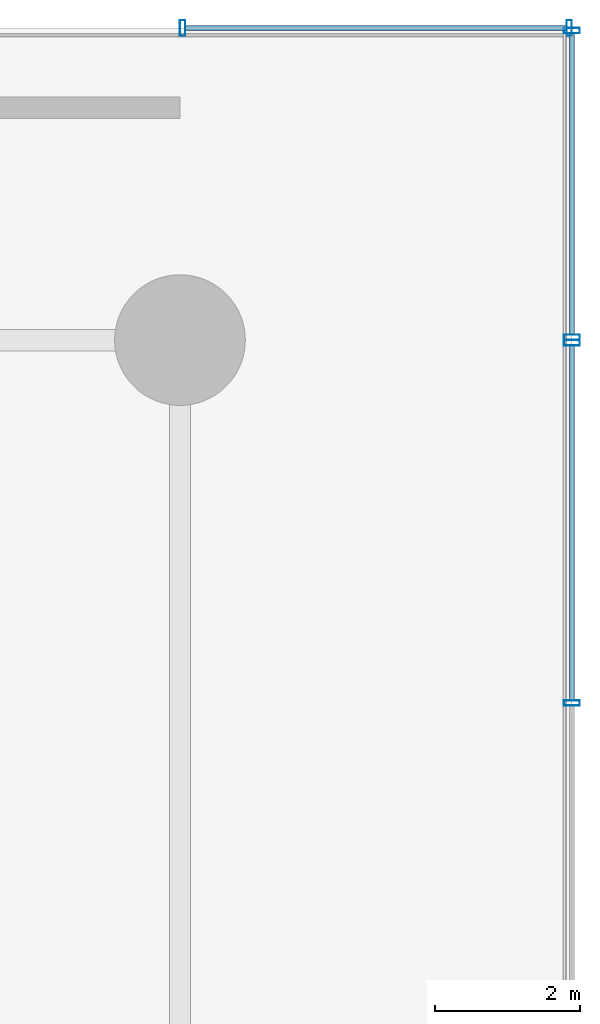
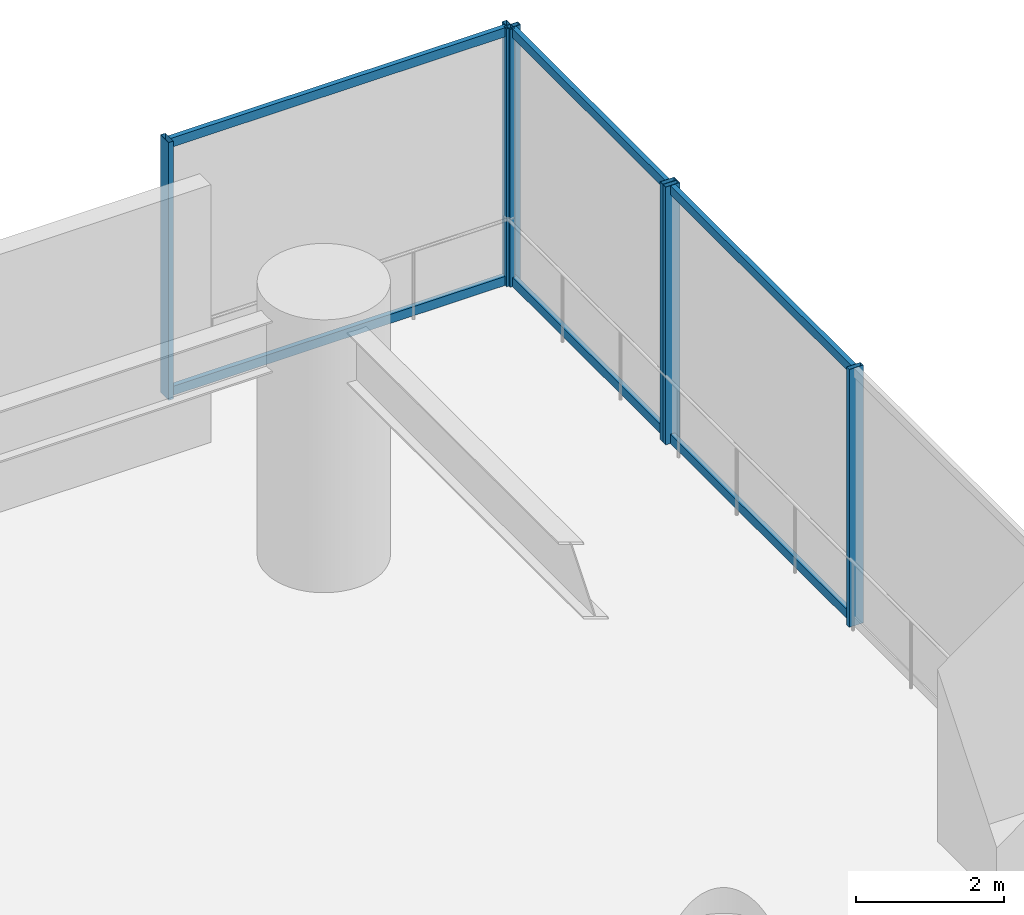
# One storey, part 25 of 36: 12 members, 3 elements without a shape of their own.
"""IFC4 building model written with IfcOpenShell, lengths in metres."""

from ifc_helpers import new_model, si_unit, direction, frame, origin, origin_2d, place, context, subcontext, project, spatial, hollow_rectangle, extrude, material, layer, layer_set, material_profile, profile_set, type_object, element, aggregate, save


model = new_model("IFC4")

# Units and contexts
model_context = context("Model", 3, precision=1e-05, world=origin(), true_north=direction((0.0, 1.0)))
body_context = subcontext(model_context, "Body", "Model", "MODEL_VIEW")
ifc_project = project(units=[si_unit("LENGTHUNIT", "METRE"), si_unit("AREAUNIT", "SQUARE_METRE"), si_unit("VOLUMEUNIT", "CUBIC_METRE"), si_unit("PLANEANGLEUNIT", "RADIAN"), si_unit("MASSUNIT", "GRAM", prefix="KILO")], contexts=[model_context])

# Site, building, storey
site_placement = place(None, origin())
site = spatial("IfcSite", under=ifc_project, at=site_placement, CompositionType="ELEMENT")
building_placement = place(site_placement, origin())
building = spatial("IfcBuilding", under=site, at=building_placement, Name="Surkhivell Harbour Commons", CompositionType="ELEMENT")
storey_placement = place(building_placement, frame((0.0, 0.0, 9.0)))
storey = spatial("IfcBuildingStorey", under=building, at=storey_placement, Name="L02", CompositionType="ELEMENT", Elevation=9.0)

# Curtain wall, members
ifc_material_1 = material(Name="Anodised pale-metal aluminium and insulated glazing", Category="aluminium")
ifc_layer = layer(ifc_material_1, 0.239990234375)
ifc_layer_set = layer_set([ifc_layer], Name="Anodised pale-metal aluminium and insulated glazing")
curtain_wall_type = type_object("IfcCurtainWallType", Name="CW-SYS-POD", PredefinedType="NOTDEFINED", material=ifc_layer_set)
curtain_wall_1_placement = place(storey_placement, origin())
curtain_wall_1 = element("IfcCurtainWall", 1, at=curtain_wall_1_placement, inside=storey, type_object=curtain_wall_type, Name="L02 Curtain Wall CW-L02-N8", PredefinedType="NOTDEFINED")
ifc_material_2 = material(Name="Anodised pale-metal aluminium alloy 6063-T6", Category="aluminium")
ifc_material_profile_1 = material_profile(ifc_material_2, hollow_rectangle(XDim=0.074951171875, YDim=0.219970703125, WallThickness=0.00390625, at=origin_2d()), Name="ALU-MULL-75x220")
ifc_profile_set_1 = profile_set([ifc_material_profile_1], Name="Anodised pale-metal aluminium alloy 6063-T6")
member_type_1 = type_object("IfcMemberType", Name="CWM-220", PredefinedType="MULLION", material=ifc_profile_set_1)
member_1_placement = place(storey_placement, frame((32.4375, 25.89990234375, 0.0), z_axis=(0.0, 0.0, 1.0), x_axis=(1.0, 0.0, 0.0)))
member_1 = element("IfcMember", 2, at=member_1_placement, type_object=member_type_1, Name="CW-POD mullion 1", PredefinedType="MULLION", context=body_context, shape_type="SweptSolid", body=[
    extrude(hollow_rectangle(XDim=0.074951171875, YDim=0.219970703125, WallThickness=0.00390625, at=origin_2d()), origin(), (0.0, 0.0, 1.0), 4.25),
])
member_2_placement = place(storey_placement, frame((37.762451171875, 25.89990234375, 0.0), z_axis=(0.0, 0.0, 1.0), x_axis=(1.0, 0.0, 0.0)))
member_2 = element("IfcMember", 3, at=member_2_placement, type_object=member_type_1, Name="CW-POD mullion 2", PredefinedType="MULLION", context=body_context, shape_type="SweptSolid", body=[
    extrude(hollow_rectangle(XDim=0.074951171875, YDim=0.219970703125, WallThickness=0.00390625, at=origin_2d()), origin(), (0.0, 0.0, 1.0), 4.25),
])

curtain_wall_2_placement = place(storey_placement, origin())
curtain_wall_2 = element("IfcCurtainWall", 4, at=curtain_wall_2_placement, inside=storey, type_object=curtain_wall_type, Name="L02 Curtain Wall CW-L02-E5", PredefinedType="NOTDEFINED")
member_3_placement = place(storey_placement, frame((37.800048828125, 21.5625, 0.0), z_axis=(0.0, 0.0, 1.0), x_axis=(0.0, -1.0, 0.0)))
member_3 = element("IfcMember", 5, at=member_3_placement, type_object=member_type_1, Name="CW-POD mullion 1", PredefinedType="MULLION", context=body_context, shape_type="SweptSolid", body=[
    extrude(hollow_rectangle(XDim=0.074951171875, YDim=0.219970703125, WallThickness=0.00390625, at=origin_2d()), origin(), (0.0, 0.0, 1.0), 4.25),
])
member_4_placement = place(storey_placement, frame((37.800048828125, 16.60107421875, 0.0), z_axis=(0.0, 0.0, 1.0), x_axis=(0.0, -1.0, 0.0)))
member_4 = element("IfcMember", 6, at=member_4_placement, type_object=member_type_1, Name="CW-POD mullion 2", PredefinedType="MULLION", context=body_context, shape_type="SweptSolid", body=[
    extrude(hollow_rectangle(XDim=0.074951171875, YDim=0.219970703125, WallThickness=0.00390625, at=origin_2d()), origin(), (0.0, 0.0, 1.0), 4.25),
])

curtain_wall_3_placement = place(storey_placement, origin())
curtain_wall_3 = element("IfcCurtainWall", 7, at=curtain_wall_3_placement, inside=storey, type_object=curtain_wall_type, Name="L02 Curtain Wall CW-L02-E6", PredefinedType="NOTDEFINED")
member_5_placement = place(storey_placement, frame((37.800048828125, 25.862548828125, 0.0), z_axis=(0.0, 0.0, 1.0), x_axis=(0.0, -1.0, 0.0)))
member_5 = element("IfcMember", 8, at=member_5_placement, type_object=member_type_1, Name="CW-POD mullion 1", PredefinedType="MULLION", context=body_context, shape_type="SweptSolid", body=[
    extrude(hollow_rectangle(XDim=0.074951171875, YDim=0.219970703125, WallThickness=0.00390625, at=origin_2d()), origin(), (0.0, 0.0, 1.0), 4.25),
])
member_6_placement = place(storey_placement, frame((37.800048828125, 21.637451171875, 0.0), z_axis=(0.0, 0.0, 1.0), x_axis=(0.0, -1.0, 0.0)))
member_6 = element("IfcMember", 9, at=member_6_placement, type_object=member_type_1, Name="CW-POD mullion 2", PredefinedType="MULLION", context=body_context, shape_type="SweptSolid", body=[
    extrude(hollow_rectangle(XDim=0.074951171875, YDim=0.219970703125, WallThickness=0.00390625, at=origin_2d()), origin(), (0.0, 0.0, 1.0), 4.25),
])

# Member
ifc_material_profile_2 = material_profile(ifc_material_2, hollow_rectangle(XDim=0.074951171875, YDim=0.14990234375, WallThickness=0.00341796875, at=origin_2d()), Name="ALU-TRAN-75x150")
ifc_profile_set_2 = profile_set([ifc_material_profile_2], Name="Anodised pale-metal aluminium alloy 6063-T6")
member_type_2 = type_object("IfcMemberType", Name="CWT-150", PredefinedType="USERDEFINED", material=ifc_profile_set_2)
member_7_placement = place(storey_placement, frame((32.47509765625, 25.89990234375, 0.074951171875), z_axis=(1.0, 0.0, 0.0), x_axis=(0.0, 1.0, 0.0)))
member_7 = element("IfcMember", 10, at=member_7_placement, type_object=member_type_2, Name="CW-POD transom 1.1", ObjectType="TRANSOM", PredefinedType="USERDEFINED", context=body_context, shape_type="SweptSolid", body=[
    extrude(hollow_rectangle(XDim=0.074951171875, YDim=0.14990234375, WallThickness=0.00341796875, at=origin_2d()), origin(), (0.0, 0.0, 1.0), 5.25),
])

member_8_placement = place(storey_placement, frame((32.47509765625, 25.89990234375, 4.175048828125), z_axis=(1.0, 0.0, 0.0), x_axis=(0.0, 1.0, 0.0)))
member_8 = element("IfcMember", 11, at=member_8_placement, type_object=member_type_2, Name="CW-POD transom 1.2", ObjectType="TRANSOM", PredefinedType="USERDEFINED", context=body_context, shape_type="SweptSolid", body=[
    extrude(hollow_rectangle(XDim=0.074951171875, YDim=0.14990234375, WallThickness=0.00341796875, at=origin_2d()), origin(), (0.0, 0.0, 1.0), 5.25),
])

aggregate(curtain_wall_1, [member_1, member_2, member_7, member_8])

member_9_placement = place(storey_placement, frame((37.800048828125, 21.52490234375, 0.074951171875), z_axis=(0.0, -1.0, 0.0), x_axis=(1.0, 0.0, 0.0)))
member_9 = element("IfcMember", 12, at=member_9_placement, type_object=member_type_2, Name="CW-POD transom 1.1", ObjectType="TRANSOM", PredefinedType="USERDEFINED", context=body_context, shape_type="SweptSolid", body=[
    extrude(hollow_rectangle(XDim=0.074951171875, YDim=0.14990234375, WallThickness=0.00341796875, at=origin_2d()), origin(), (0.0, 0.0, 1.0), 4.886474609375),
])

member_10_placement = place(storey_placement, frame((37.800048828125, 21.52490234375, 4.175048828125), z_axis=(0.0, -1.0, 0.0), x_axis=(1.0, 0.0, 0.0)))
member_10 = element("IfcMember", 13, at=member_10_placement, type_object=member_type_2, Name="CW-POD transom 1.2", ObjectType="TRANSOM", PredefinedType="USERDEFINED", context=body_context, shape_type="SweptSolid", body=[
    extrude(hollow_rectangle(XDim=0.074951171875, YDim=0.14990234375, WallThickness=0.00341796875, at=origin_2d()), origin(), (0.0, 0.0, 1.0), 4.886474609375),
])

aggregate(curtain_wall_2, [member_3, member_4, member_9, member_10])

member_11_placement = place(storey_placement, frame((37.800048828125, 25.824951171875, 0.074951171875), z_axis=(0.0, -1.0, 0.0), x_axis=(1.0, 0.0, 0.0)))
member_11 = element("IfcMember", 14, at=member_11_placement, type_object=member_type_2, Name="CW-POD transom 1.1", ObjectType="TRANSOM", PredefinedType="USERDEFINED", context=body_context, shape_type="SweptSolid", body=[
    extrude(hollow_rectangle(XDim=0.074951171875, YDim=0.14990234375, WallThickness=0.00341796875, at=origin_2d()), origin(), (0.0, 0.0, 1.0), 4.14990234375),
])

member_12_placement = place(storey_placement, frame((37.800048828125, 25.824951171875, 4.175048828125), z_axis=(0.0, -1.0, 0.0), x_axis=(1.0, 0.0, 0.0)))
member_12 = element("IfcMember", 15, at=member_12_placement, type_object=member_type_2, Name="CW-POD transom 1.2", ObjectType="TRANSOM", PredefinedType="USERDEFINED", context=body_context, shape_type="SweptSolid", body=[
    extrude(hollow_rectangle(XDim=0.074951171875, YDim=0.14990234375, WallThickness=0.00341796875, at=origin_2d()), origin(), (0.0, 0.0, 1.0), 4.14990234375),
])

aggregate(curtain_wall_3, [member_5, member_6, member_11, member_12])

save(model, "model.ifc")
